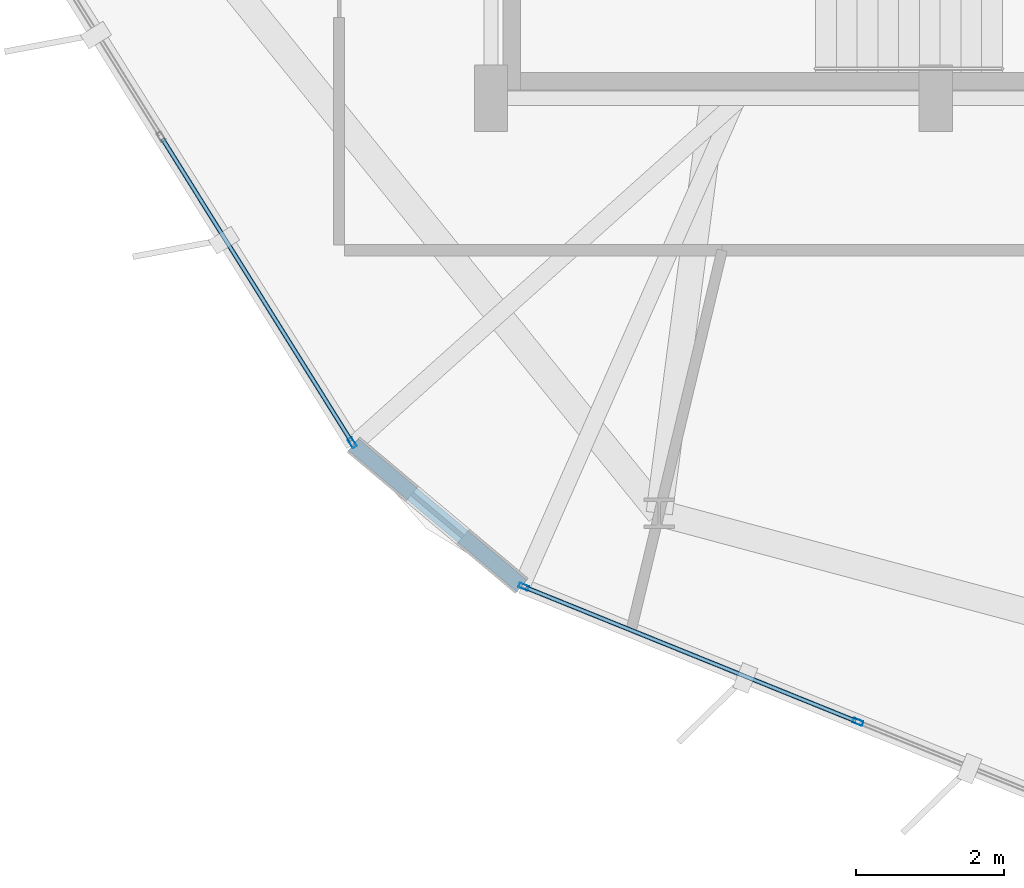
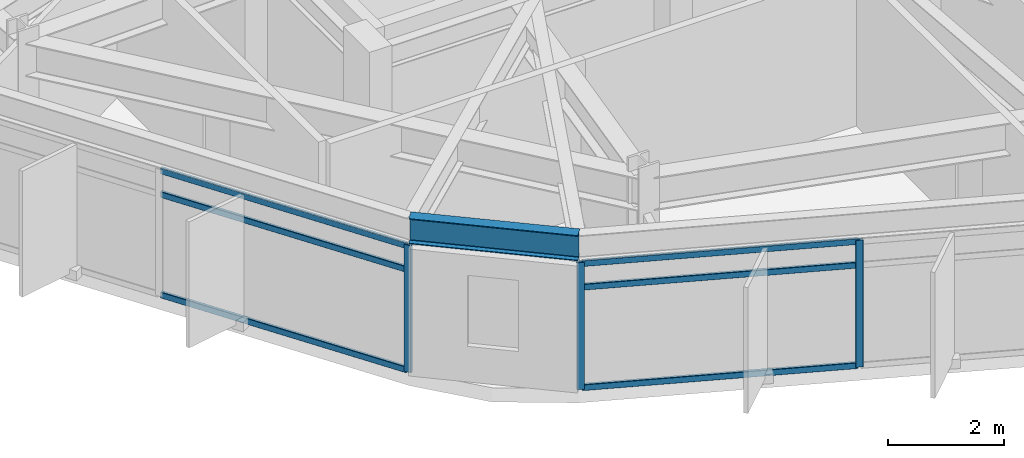
# One storey, part 2 of 23: 9 members, 1 beam, 2 elements without a shape of their own.
"""IFC4 building model written with IfcOpenShell, lengths in metres."""

from ifc_helpers import new_model, si_unit, direction, frame, origin, origin_2d, place, context, subcontext, project, spatial, hollow_rectangle, i_section, extrude, material, layer, layer_set, material_profile, profile_set, type_object, element, aggregate, save


model = new_model("IFC4")

# Units and contexts
model_context = context("Model", 3, precision=1e-05, world=origin(), true_north=direction((0.0, 1.0)))
body_context = subcontext(model_context, "Body", "Model", "MODEL_VIEW")
ifc_project = project(units=[si_unit("LENGTHUNIT", "METRE"), si_unit("AREAUNIT", "SQUARE_METRE"), si_unit("VOLUMEUNIT", "CUBIC_METRE"), si_unit("PLANEANGLEUNIT", "RADIAN"), si_unit("MASSUNIT", "GRAM", prefix="KILO")], contexts=[model_context])

# Site, building, storey
site_placement = place(None, origin())
site = spatial("IfcSite", under=ifc_project, at=site_placement, CompositionType="ELEMENT")
building_placement = place(site_placement, origin())
building = spatial("IfcBuilding", under=site, at=building_placement, Name="Soratama Intermodal Tower", CompositionType="ELEMENT")
storey_placement = place(building_placement, frame((0.0, 0.0, 215.800048828125)))
storey = spatial("IfcBuildingStorey", under=building, at=storey_placement, Name="L54", CompositionType="ELEMENT", Elevation=215.800048828125)

# Beam
ifc_material_1 = material(Name="Structural steel ASTM A992 Grade 50", Category="steel")
ifc_material_profile_1 = material_profile(ifc_material_1, i_section(OverallWidth=0.2099609375, OverallDepth=0.537109375, WebThickness=0.010986328125, FlangeThickness=0.017333984375, FilletRadius=0.012939453125, at=origin_2d()), Name="W21X68")
ifc_profile_set_1 = profile_set([ifc_material_profile_1], Name="Structural steel ASTM A992 Grade 50")
beam_type = type_object("IfcBeamType", Name="BM-SPN-W21X68", PredefinedType="SPANDREL", material=ifc_profile_set_1)
beam_placement = place(storey_placement, frame((30.741943359375, 10.325927734375, 3.031494140625), z_axis=(0.76594964584, -0.642900567769, 0.0), x_axis=(0.642900567769, 0.76594964584, 0.0)))
element("IfcBeam", 1, at=beam_placement, inside=storey, type_object=beam_type, Name="BS-L54-CRN05", PredefinedType="SPANDREL", context=body_context, shape_type="SweptSolid", body=[
    extrude(i_section(OverallWidth=0.2099609375, OverallDepth=0.537109375, WebThickness=0.010986328125, FlangeThickness=0.017333984375, FilletRadius=0.012939453125, at=origin_2d()), origin(), (0.0, 0.0, 1.0), 2.96630859375),
])

# Curtain wall, member
ifc_material_2 = material(Name="Double-glazed aluminium curtain wall", Category="aluminium")
ifc_layer = layer(ifc_material_2, 0.159912109375)
ifc_layer_set = layer_set([ifc_layer], Name="Double-glazed aluminium curtain wall")
curtain_wall_type = type_object("IfcCurtainWallType", Name="CW-SYS-5", PredefinedType="NOTDEFINED", material=ifc_layer_set)
curtain_wall_1_placement = place(storey_placement, origin())
curtain_wall_1 = element("IfcCurtainWall", 2, at=curtain_wall_1_placement, inside=storey, type_object=curtain_wall_type, Name="L54 Faceted Curtain Wall F05", PredefinedType="NOTDEFINED")
ifc_material_3 = material(Name="Anodised aluminium AA 6063-T6", Category="aluminium")
ifc_material_profile_2 = material_profile(ifc_material_3, hollow_rectangle(XDim=0.06494140625, YDim=0.139892578125, WallThickness=0.0048828125, InnerFilletRadius=0.0048828125, OuterFilletRadius=0.010009765625, at=origin_2d()), Name="CWM140X65X5")
ifc_profile_set_2 = profile_set([ifc_material_profile_2], Name="Anodised aluminium AA 6063-T6")
member_type_1 = type_object("IfcMemberType", Name="MT-CWM-5", PredefinedType="MULLION", material=ifc_profile_set_2)
member_1_placement = place(storey_placement, frame((30.725830078125, 10.3515625, 0.0), z_axis=(0.0, 0.0, 1.0), x_axis=(0.848231192913, 0.529626135466, 0.0)))
member_1 = element("IfcMember", 3, at=member_1_placement, type_object=member_type_1, Name="CW-5 mullion 3", PredefinedType="MULLION", context=body_context, shape_type="SweptSolid", body=[
    extrude(hollow_rectangle(XDim=0.06494140625, YDim=0.139892578125, WallThickness=0.0048828125, InnerFilletRadius=0.0048828125, OuterFilletRadius=0.010009765625, at=origin_2d()), origin(), (0.0, 0.0, 1.0), 2.678955078125),
])

# Curtain wall, members
curtain_wall_2_placement = place(storey_placement, origin())
curtain_wall_2 = element("IfcCurtainWall", 4, at=curtain_wall_2_placement, inside=storey, type_object=curtain_wall_type, Name="L54 Faceted Curtain Wall F06", PredefinedType="NOTDEFINED")
member_2_placement = place(storey_placement, frame((33.041259765625, 8.407470703125, 0.0), z_axis=(0.0, 0.0, 1.0), x_axis=(0.374934682302, 0.927051230519, 0.0)))
member_2 = element("IfcMember", 5, at=member_2_placement, type_object=member_type_1, Name="CW-5 mullion 1", PredefinedType="MULLION", context=body_context, shape_type="SweptSolid", body=[
    extrude(hollow_rectangle(XDim=0.06494140625, YDim=0.139892578125, WallThickness=0.0048828125, InnerFilletRadius=0.0048828125, OuterFilletRadius=0.010009765625, at=origin_2d()), origin(), (0.0, 0.0, 1.0), 2.678955078125),
])
member_3_placement = place(storey_placement, frame((37.5517578125, 6.583251953125, 0.0), z_axis=(0.0, 0.0, 1.0), x_axis=(0.374934682302, 0.927051230519, 0.0)))
member_3 = element("IfcMember", 6, at=member_3_placement, type_object=member_type_1, Name="CW-5 mullion 2", PredefinedType="MULLION", context=body_context, shape_type="SweptSolid", body=[
    extrude(hollow_rectangle(XDim=0.06494140625, YDim=0.139892578125, WallThickness=0.0048828125, InnerFilletRadius=0.0048828125, OuterFilletRadius=0.010009765625, at=origin_2d()), origin(), (0.0, 0.0, 1.0), 2.678955078125),
])

# Member
ifc_material_4 = material(Name="Anodised aluminium AA 6063-T6", Category="aluminium")
ifc_material_profile_3 = material_profile(ifc_material_4, hollow_rectangle(XDim=0.06005859375, YDim=0.1298828125, WallThickness=0.0048828125, InnerFilletRadius=0.0048828125, OuterFilletRadius=0.010009765625, at=origin_2d()), Name="CWT130X60X5")
ifc_profile_set_3 = profile_set([ifc_material_profile_3], Name="Anodised aluminium AA 6063-T6")
member_type_2 = type_object("IfcMemberType", Name="TT-CWT-2", PredefinedType="USERDEFINED", material=ifc_profile_set_3)
member_4_placement = place(storey_placement, frame((28.1650390625, 14.453125, 0.030029296875), z_axis=(0.529619827099, -0.848235131755, 0.0), x_axis=(0.848235131755, 0.529619827099, 0.0)))
member_4 = element("IfcMember", 7, at=member_4_placement, type_object=member_type_2, Name="CW-5 transom 2.1", ObjectType="TRANSOM", PredefinedType="USERDEFINED", context=body_context, shape_type="SweptSolid", body=[
    extrude(hollow_rectangle(XDim=0.06005859375, YDim=0.1298828125, WallThickness=0.0048828125, InnerFilletRadius=0.0048828125, OuterFilletRadius=0.010009765625, at=origin_2d()), origin(), (0.0, 0.0, 1.0), 4.80517578125),
])

member_5_placement = place(storey_placement, frame((28.1650390625, 14.453125, 2.14990234375), z_axis=(0.529619827099, -0.848235131755, 0.0), x_axis=(0.848235131755, 0.529619827099, 0.0)))
member_5 = element("IfcMember", 8, at=member_5_placement, type_object=member_type_2, Name="CW-5 transom 2.2", ObjectType="TRANSOM", PredefinedType="USERDEFINED", context=body_context, shape_type="SweptSolid", body=[
    extrude(hollow_rectangle(XDim=0.06005859375, YDim=0.1298828125, WallThickness=0.0048828125, InnerFilletRadius=0.0048828125, OuterFilletRadius=0.010009765625, at=origin_2d()), origin(), (0.0, 0.0, 1.0), 4.80517578125),
])

member_6_placement = place(storey_placement, frame((28.1650390625, 14.453125, 2.64892578125), z_axis=(0.529619827099, -0.848235131755, 0.0), x_axis=(0.848235131755, 0.529619827099, 0.0)))
member_6 = element("IfcMember", 9, at=member_6_placement, type_object=member_type_2, Name="CW-5 transom 2.3", ObjectType="TRANSOM", PredefinedType="USERDEFINED", context=body_context, shape_type="SweptSolid", body=[
    extrude(hollow_rectangle(XDim=0.06005859375, YDim=0.1298828125, WallThickness=0.0048828125, InnerFilletRadius=0.0048828125, OuterFilletRadius=0.010009765625, at=origin_2d()), origin(), (0.0, 0.0, 1.0), 4.80517578125),
])

aggregate(curtain_wall_1, [member_1, member_4, member_5, member_6])

member_7_placement = place(storey_placement, frame((33.069091796875, 8.39599609375, 0.030029296875), z_axis=(0.927064985588, -0.374900670173, 0.0), x_axis=(0.374900670173, 0.927064985588, 0.0)))
member_7 = element("IfcMember", 10, at=member_7_placement, type_object=member_type_2, Name="CW-5 transom 1.1", ObjectType="TRANSOM", PredefinedType="USERDEFINED", context=body_context, shape_type="SweptSolid", body=[
    extrude(hollow_rectangle(XDim=0.06005859375, YDim=0.1298828125, WallThickness=0.0048828125, InnerFilletRadius=0.0048828125, OuterFilletRadius=0.010009765625, at=origin_2d()), origin(), (0.0, 0.0, 1.0), 4.805419921875),
])

member_8_placement = place(storey_placement, frame((33.069091796875, 8.39599609375, 2.14990234375), z_axis=(0.927064985588, -0.374900670173, 0.0), x_axis=(0.374900670173, 0.927064985588, 0.0)))
member_8 = element("IfcMember", 11, at=member_8_placement, type_object=member_type_2, Name="CW-5 transom 1.2", ObjectType="TRANSOM", PredefinedType="USERDEFINED", context=body_context, shape_type="SweptSolid", body=[
    extrude(hollow_rectangle(XDim=0.06005859375, YDim=0.1298828125, WallThickness=0.0048828125, InnerFilletRadius=0.0048828125, OuterFilletRadius=0.010009765625, at=origin_2d()), origin(), (0.0, 0.0, 1.0), 4.805419921875),
])

member_9_placement = place(storey_placement, frame((33.069091796875, 8.39599609375, 2.64892578125), z_axis=(0.927064985588, -0.374900670173, 0.0), x_axis=(0.374900670173, 0.927064985588, 0.0)))
member_9 = element("IfcMember", 12, at=member_9_placement, type_object=member_type_2, Name="CW-5 transom 1.3", ObjectType="TRANSOM", PredefinedType="USERDEFINED", context=body_context, shape_type="SweptSolid", body=[
    extrude(hollow_rectangle(XDim=0.06005859375, YDim=0.1298828125, WallThickness=0.0048828125, InnerFilletRadius=0.0048828125, OuterFilletRadius=0.010009765625, at=origin_2d()), origin(), (0.0, 0.0, 1.0), 4.805419921875),
])

aggregate(curtain_wall_2, [member_2, member_3, member_7, member_8, member_9])

save(model, "model.ifc")
